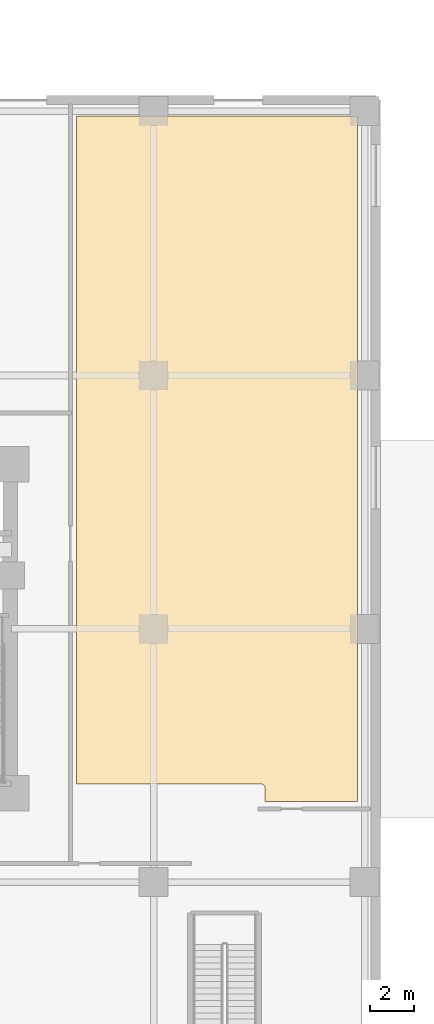
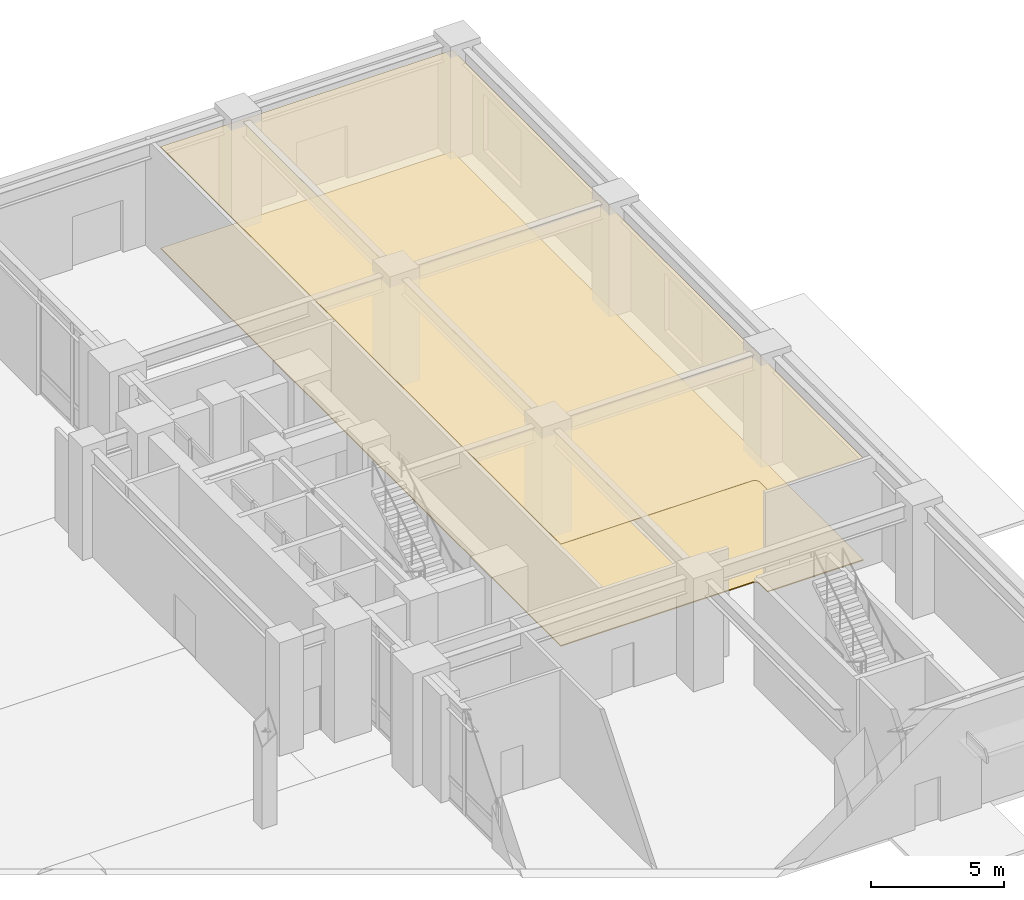
# One storey, part 23 of 23: 2 coverings.
"""IFC4 building model written with IfcOpenShell, lengths in metres."""

from ifc_helpers import new_model, si_unit, direction, frame, origin, place, context, subcontext, project, spatial, polyline, outline, extrude, material, layer, layer_set, type_object, element, save


model = new_model("IFC4")

# Units and contexts
model_context = context("Model", 3, precision=1e-05, world=origin(), true_north=direction((0.0, 1.0)))
body_context = subcontext(model_context, "Body", "Model", "MODEL_VIEW")
ifc_project = project(units=[si_unit("LENGTHUNIT", "METRE"), si_unit("AREAUNIT", "SQUARE_METRE"), si_unit("VOLUMEUNIT", "CUBIC_METRE"), si_unit("PLANEANGLEUNIT", "RADIAN"), si_unit("MASSUNIT", "GRAM", prefix="KILO")], contexts=[model_context])

# Site, building, storey
site_placement = place(None, origin())
site = spatial("IfcSite", under=ifc_project, at=site_placement, CompositionType="ELEMENT")
building_placement = place(site_placement, origin())
building = spatial("IfcBuilding", under=site, at=building_placement, Name="Voryun Gate Residences", CompositionType="ELEMENT")
storey_placement = place(building_placement, origin())
storey = spatial("IfcBuildingStorey", under=building, at=storey_placement, Name="L00", CompositionType="ELEMENT", Elevation=0.0)

# Coverings
ifc_material_1 = material(Name="Gypsum acoustic ceiling")
ifc_layer_1 = layer(ifc_material_1, 0.02490234375, Name="COV_CEILING_ACOUSTIC")
ifc_layer_set_1 = layer_set([ifc_layer_1], Name="Gypsum acoustic ceiling")
covering_type_1 = type_object("IfcCoveringType", Name="COV_CEILING_ACOUSTIC", PredefinedType="CEILING", material=ifc_layer_set_1)
covering_1_placement = place(storey_placement, frame((0.0, 0.0, 4.669921875)))
element("IfcCovering", 1, at=covering_1_placement, inside=storey, type_object=covering_type_1, Name="Acoustic ceiling CLG-L00-01", PredefinedType="CEILING", context=body_context, shape_type="SweptSolid", body=[
    extrude(outline(polyline([(34.780029296875, 23.080078125), (34.780029296875, -7.780029296875), (30.625, -7.780029296875), (30.625, -7.194580078125), (30.624267578125, -7.177978515625), (30.620849609375, -7.156005859375), (30.615478515625, -7.134521484375), (30.608154296875, -7.11376953125), (30.5986328125, -7.09375), (30.58740234375, -7.07470703125), (30.57421875, -7.05712890625), (30.559326171875, -7.040771484375), (30.54296875, -7.02587890625), (30.525146484375, -7.0126953125), (30.506103515625, -7.001220703125), (30.486083984375, -6.991943359375), (30.46533203125, -6.984375), (30.44384765625, -6.97900390625), (30.422119140625, -6.975830078125), (30.405517578125, -6.97509765625), (22.1201171875, -6.97509765625), (22.1201171875, 23.080078125), (34.780029296875, 23.080078125)])), origin(), (0.0, 0.0, 1.0), 0.025146484375),
])
ifc_material_2 = material(Name="Architectural oak flooring")
ifc_layer_2 = layer(ifc_material_2, 0.044921875, Name="COV_FLOOR_ONDOL_OAK")
ifc_layer_set_2 = layer_set([ifc_layer_2], Name="Architectural oak flooring")
covering_type_2 = type_object("IfcCoveringType", Name="COV_FLOOR_ONDOL_OAK", PredefinedType="FLOORING", material=ifc_layer_set_2)
covering_2_placement = place(storey_placement, origin())
element("IfcCovering", 2, at=covering_2_placement, inside=storey, type_object=covering_type_2, Name="Ondol oak floor FLR-L00-01", PredefinedType="FLOORING", context=body_context, shape_type="SweptSolid", body=[
    extrude(outline(polyline([(34.780029296875, 23.080078125), (34.780029296875, -7.780029296875), (30.625, -7.780029296875), (30.625, -7.194580078125), (30.624267578125, -7.177978515625), (30.620849609375, -7.156005859375), (30.615478515625, -7.134521484375), (30.608154296875, -7.11376953125), (30.5986328125, -7.09375), (30.58740234375, -7.07470703125), (30.57421875, -7.05712890625), (30.559326171875, -7.040771484375), (30.54296875, -7.02587890625), (30.525146484375, -7.0126953125), (30.506103515625, -7.001220703125), (30.486083984375, -6.991943359375), (30.46533203125, -6.984375), (30.44384765625, -6.97900390625), (30.422119140625, -6.975830078125), (30.405517578125, -6.97509765625), (22.1201171875, -6.97509765625), (22.1201171875, 23.080078125), (34.780029296875, 23.080078125)])), origin(), (0.0, 0.0, 1.0), 0.044921875),
])

save(model, "model.ifc")
